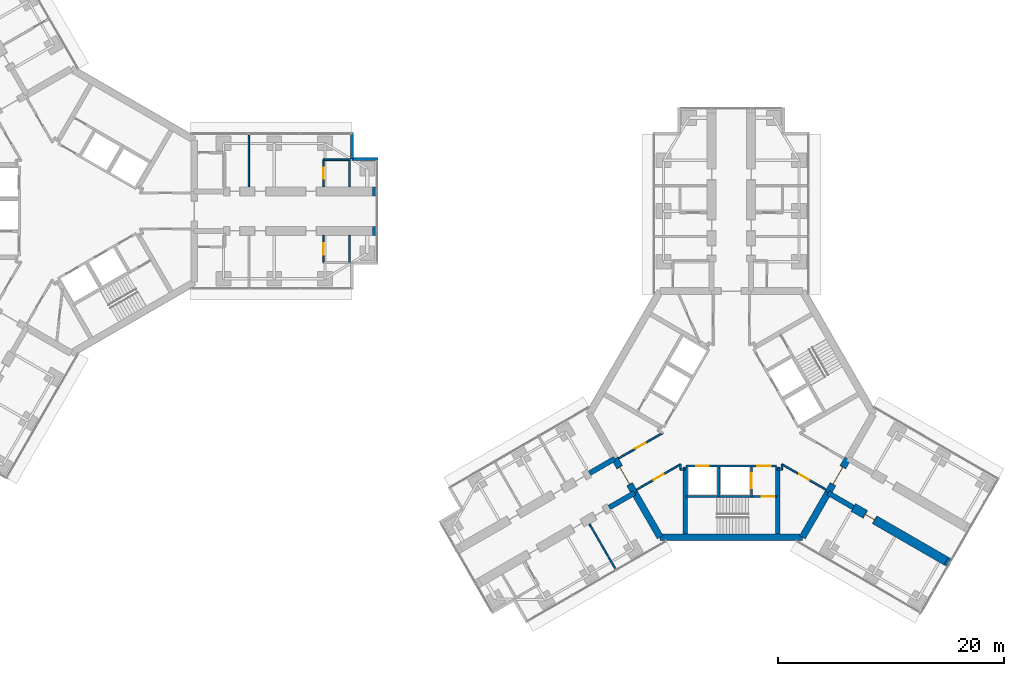
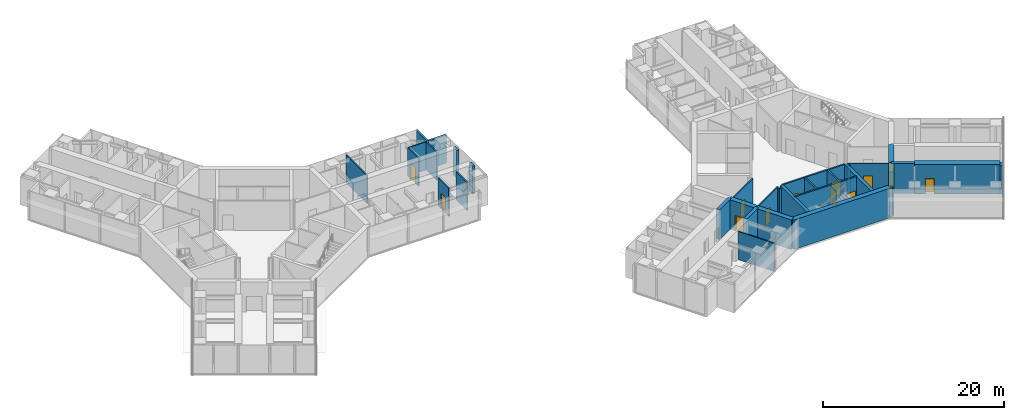
# One storey, part 18 of 22: 34 walls, 12 doors, 12 openings.
"""IFC4 building model written with IfcOpenShell, lengths in metres."""

from ifc_helpers import new_model, si_unit, direction, frame, frame_2d, origin, place, context, subcontext, project, spatial, rectangle, extrude, material, layer, layer_set, type_object, element, fill, save


model = new_model("IFC4")

# Units and contexts
model_context = context("Model", 3, precision=1e-05, world=origin(), true_north=direction((0.0, 1.0)))
body_context = subcontext(model_context, "Body", "Model", "MODEL_VIEW")
ifc_project = project(units=[si_unit("LENGTHUNIT", "METRE"), si_unit("AREAUNIT", "SQUARE_METRE"), si_unit("VOLUMEUNIT", "CUBIC_METRE"), si_unit("PLANEANGLEUNIT", "RADIAN"), si_unit("MASSUNIT", "GRAM", prefix="KILO")], contexts=[model_context])

# Site, building, storey
site_placement = place(None, origin())
site = spatial("IfcSite", under=ifc_project, at=site_placement, CompositionType="ELEMENT")
building_placement = place(site_placement, origin())
building = spatial("IfcBuilding", under=site, at=building_placement, Name="Upepo Twin Towers", CompositionType="ELEMENT")
storey_placement = place(building_placement, frame((0.0, 0.0, 125.5)))
storey = spatial("IfcBuildingStorey", under=building, at=storey_placement, Name="L30", CompositionType="ELEMENT", Elevation=125.5)

# Walls
ifc_material_1 = material(Name="Dense concrete blockwork", Category="masonry")
ifc_layer_1 = layer(ifc_material_1, 0.800048828125)
ifc_layer_set_1 = layer_set([ifc_layer_1], Name="Buttress closer 800, blockwork with fire-stopping to the curtain wall")
wall_type_1 = type_object("IfcWallType", Name="Buttress closer 800, blockwork with fire-stopping to the curtain wall", PredefinedType="PARTITIONING", material=ifc_layer_set_1)
for number, where, z_axis, x_axis, name in (
    (1, (26.699951171875, 1.75, 0.0), (0.0, 0.0, 1.0), (1.0, 0.0, 0.0), "T1 L30 wing A buttress closer L"),
    (2, (26.699951171875, -1.75, 0.0), (0.0, 0.0, 1.0), (1.0, 0.0, 0.0), "T1 L30 wing A buttress closer R"),
):
    element("IfcWall", number, at=place(storey_placement, frame(where, z_axis=z_axis, x_axis=x_axis)), inside=storey, type_object=wall_type_1, Name=name, PredefinedType="PARTITIONING", context=body_context, shape_type="SweptSolid", body=[
        extrude(rectangle(XDim=0.300048828125, YDim=0.800048828125, at=frame_2d((0.14990234375, 0.0))), origin(), (0.0, 0.0, 1.0), 3.800048828125),
    ])
wall_1_placement = place(storey_placement, frame((77.543701171875, -31.015625, 0.0), z_axis=(0.0, 0.0, 1.0), x_axis=(0.865827443207, -0.500342721131, 0.0)))
element("IfcWall", 3, at=wall_1_placement, inside=storey, type_object=wall_type_1, Name="T2 L30 wing C buttress closer R", PredefinedType="PARTITIONING", context=body_context, shape_type="SweptSolid", body=[
    extrude(rectangle(XDim=0.249755859375, YDim=0.800048828125, at=frame_2d((0.125, 0.0))), origin(), (0.0, 0.0, 1.0), 3.800048828125),
])
ifc_material_2 = material(Name="Concrete C60/75", Category="concrete")
ifc_layer_2 = layer(ifc_material_2, 0.449951171875)
ifc_layer_set_2 = layer_set([ifc_layer_2], Name="Concrete C60/75")
wall_type_2 = type_object("IfcWallType", Name="Buttress wall 450 RC", PredefinedType="SHEAR", material=ifc_layer_set_2)
for number, where, z_axis, x_axis, name in (
    (4, (49.92822265625, -24.9697265625, 0.0), (0.0, 0.0, 1.0), (-0.866031863473, -0.499988811324, 0.0), "T2 wing B buttress wall L"),
    (5, (48.17822265625, -21.938720703125, 0.0), (0.0, 0.0, 1.0), (-0.866072649678, -0.499918158782, 0.0), "T2 wing B buttress wall R"),
    (6, (67.07177734375, -24.9697265625, 0.0), (0.0, 0.0, 1.0), (0.866031863473, -0.499988811324, 0.0), "T2 wing C buttress wall R"),
):
    element("IfcWall", number, at=place(storey_placement, frame(where, z_axis=z_axis, x_axis=x_axis)), inside=storey, type_object=wall_type_2, Name=name, PredefinedType="SHEAR", context=body_context, shape_type="SweptSolid", body=[
        extrude(rectangle(XDim=2.591796875, YDim=0.449951171875, at=frame_2d((1.2958984375, 0.0))), origin(), (0.0, 0.0, 1.0), 4.0),
    ])

# Wall, opening, door
ifc_material_3 = material(Name="Concrete C60/75", Category="concrete")
ifc_layer_3 = layer(ifc_material_3, 0.800048828125)
ifc_layer_set_3 = layer_set([ifc_layer_3], Name="Concrete C60/75")
wall_type_3 = type_object("IfcWallType", Name="Buttress wall 800 RC", PredefinedType="SHEAR", material=ifc_layer_set_3)
wall_2_placement = place(storey_placement, frame((69.31640625, -26.265625, 0.0), z_axis=(0.0, 0.0, 1.0), x_axis=(0.86602681393, -0.499997557548, 0.0)))
wall_2 = element("IfcWall", 7, at=wall_2_placement, inside=storey, type_object=wall_type_3, Name="T2 wing C buttress wall R part 2", PredefinedType="SHEAR", context=body_context, shape_type="SweptSolid", body=[
    extrude(rectangle(XDim=9.5, YDim=0.800048828125, at=frame_2d((4.75, 0.0))), origin(), (0.0, 0.0, 1.0), 4.0),
])
opening_1_placement = place(wall_2_placement, frame((1.199951171875, 0.0, 0.0)))
opening_1 = element("IfcOpeningElement", 8, at=opening_1_placement, cuts=wall_2, Name="Opening D1", PredefinedType="OPENING", context=body_context, shape_type="SweptSolid", body=[
    extrude(rectangle(XDim=1.0, YDim=2.10009765625, at=frame_2d((0.5, 1.050048828125))), frame((0.0, 0.409912109375, 0.0), z_axis=(0.0, -1.0, 0.0), x_axis=(1.0, 0.0, 0.0)), (0.0, 0.0, 1.0), 0.820068359375),
])
ifc_material_4 = material(Name="Timber doorset", Category="wood")
door_type_1 = type_object("IfcDoorType", Name="Room door 1000 FD30", OperationType="SINGLE_SWING_LEFT", PredefinedType="DOOR", material=ifc_material_4)
door_1_placement = place(opening_1_placement, origin())
door_1 = element("IfcDoor", 9, at=door_1_placement, inside=storey, type_object=door_type_1, Name="T2 L30 staff office door", OperationType="SINGLE_SWING_LEFT", OverallHeight=2.10009765625, OverallWidth=1.0, PredefinedType="DOOR", context=body_context, shape_type="SweptSolid", body=[
    extrude(rectangle(XDim=0.92, YDim=2.06009765625, at=frame_2d((0.5, 1.030029296875))), frame((0.0, 0.02490234375, 0.0), z_axis=(0.0, -1.0, 0.0), x_axis=(1.0, 0.0, 0.0)), (0.0, 0.0, 1.0), 0.050048828125),
    extrude(rectangle(XDim=0.04, YDim=2.10009765625, at=frame_2d((0.02001953125, 1.050048828125))), frame((0.0, 0.39990234375, 0.0), z_axis=(0.0, -1.0, 0.0), x_axis=(1.0, 0.0, 0.0)), (0.0, 0.0, 1.0), 0.799560546875),
    extrude(rectangle(XDim=0.04, YDim=2.10009765625, at=frame_2d((0.97998046875, 1.050048828125))), frame((0.0, 0.39990234375, 0.0), z_axis=(0.0, -1.0, 0.0), x_axis=(1.0, 0.0, 0.0)), (0.0, 0.0, 1.0), 0.799560546875),
    extrude(rectangle(XDim=0.92, YDim=0.04, at=frame_2d((0.5, 2.080078125))), frame((0.0, 0.39990234375, 0.0), z_axis=(0.0, -1.0, 0.0), x_axis=(1.0, 0.0, 0.0)), (0.0, 0.0, 1.0), 0.799560546875),
])
fill(opening_1, door_1)

ifc_material_5 = material(Name="Concrete C60/75", Category="concrete")
ifc_layer_4 = layer(ifc_material_5, 0.60009765625)
ifc_layer_set_4 = layer_set([ifc_layer_4], Name="Concrete C60/75")
wall_type_4 = type_object("IfcWallType", Name="Core wall 600 RC", PredefinedType="SHEAR", material=ifc_layer_set_4)
wall_3_placement = place(storey_placement, frame((48.17822265625, -21.938720703125, 0.0), z_axis=(0.0, 0.0, 1.0), x_axis=(0.500010275428, -0.866019471182, 0.0)))
wall_3 = element("IfcWall", 10, at=wall_3_placement, inside=storey, type_object=wall_type_4, Name="T2 core wall 120", PredefinedType="SHEAR", context=body_context, shape_type="SweptSolid", body=[
    extrude(rectangle(XDim=3.5, YDim=0.60009765625, at=frame_2d((1.75, 0.0))), origin(), (0.0, 0.0, 1.0), 4.0),
])
opening_2_placement = place(wall_3_placement, frame((0.85009765625, 0.0, 0.0)))
opening_2 = element("IfcOpeningElement", 11, at=opening_2_placement, cuts=wall_3, Name="Opening D2", PredefinedType="OPENING", context=body_context, shape_type="SweptSolid", body=[
    extrude(rectangle(XDim=1.800048828125, YDim=2.10009765625, at=frame_2d((0.89990234375, 1.050048828125))), frame((0.0, 0.31005859375, 0.0), z_axis=(0.0, -1.0, 0.0), x_axis=(1.0, 0.0, 0.0)), (0.0, 0.0, 1.0), 0.6201171875),
])
ifc_material_6 = material(Name="Timber doorset", Category="wood")
door_type_2 = type_object("IfcDoorType", Name="Corridor double door 1800 FD60", OperationType="DOUBLE_DOOR_DOUBLE_SWING", PredefinedType="DOOR", material=ifc_material_6)
door_2_placement = place(opening_2_placement, origin())
door_2 = element("IfcDoor", 12, at=door_2_placement, inside=storey, type_object=door_type_2, Name="T2 L30 wing B corridor door", OperationType="DOUBLE_DOOR_DOUBLE_SWING", OverallHeight=2.10009765625, OverallWidth=1.800048828125, PredefinedType="DOOR", context=body_context, shape_type="SweptSolid", body=[
    extrude(rectangle(XDim=1.720048828125, YDim=2.06009765625, at=frame_2d((0.89990234375, 1.030029296875))), frame((0.0, 0.02490234375, 0.0), z_axis=(0.0, -1.0, 0.0), x_axis=(1.0, 0.0, 0.0)), (0.0, 0.0, 1.0), 0.050048828125),
    extrude(rectangle(XDim=0.04, YDim=2.10009765625, at=frame_2d((0.02001953125, 1.050048828125))), frame((0.0, 0.2998046875, 0.0), z_axis=(0.0, -1.0, 0.0), x_axis=(1.0, 0.0, 0.0)), (0.0, 0.0, 1.0), 0.599609375),
    extrude(rectangle(XDim=0.04, YDim=2.10009765625, at=frame_2d((1.780029296875, 1.050048828125))), frame((0.0, 0.2998046875, 0.0), z_axis=(0.0, -1.0, 0.0), x_axis=(1.0, 0.0, 0.0)), (0.0, 0.0, 1.0), 0.599609375),
    extrude(rectangle(XDim=1.720048828125, YDim=0.04, at=frame_2d((0.89990234375, 2.080078125))), frame((0.0, 0.2998046875, 0.0), z_axis=(0.0, -1.0, 0.0), x_axis=(1.0, 0.0, 0.0)), (0.0, 0.0, 1.0), 0.599609375),
])
fill(opening_2, door_2)

# Walls
wall_4_placement = place(storey_placement, frame((49.92822265625, -24.9697265625, 0.0), z_axis=(0.0, 0.0, 1.0), x_axis=(0.499984222037, -0.866034513004, 0.0)))
element("IfcWall", 13, at=wall_4_placement, inside=storey, type_object=wall_type_4, Name="T2 core wall 120 L", PredefinedType="SHEAR", context=body_context, shape_type="SweptSolid", body=[
    extrude(rectangle(XDim=4.548095703125, YDim=0.60009765625, at=frame_2d((2.27392578125, 0.0))), origin(), (0.0, 0.0, 1.0), 4.0),
])
wall_5_placement = place(storey_placement, frame((52.2021484375, -28.908447265625, 0.0), z_axis=(0.0, 0.0, 1.0), x_axis=(1.0, 0.0, 0.0)))
element("IfcWall", 14, at=wall_5_placement, inside=storey, type_object=wall_type_4, Name="T2 core wall 180", PredefinedType="SHEAR", context=body_context, shape_type="SweptSolid", body=[
    extrude(rectangle(XDim=12.595703125, YDim=0.60009765625, at=frame_2d((6.2978515625, 0.0))), origin(), (0.0, 0.0, 1.0), 4.0),
])
wall_6_placement = place(storey_placement, frame((64.7978515625, -28.908447265625, 0.0), z_axis=(0.0, 0.0, 1.0), x_axis=(0.499984222037, 0.866034513004, 0.0)))
element("IfcWall", 15, at=wall_6_placement, inside=storey, type_object=wall_type_4, Name="T2 core wall 240 R", PredefinedType="SHEAR", context=body_context, shape_type="SweptSolid", body=[
    extrude(rectangle(XDim=4.548095703125, YDim=0.60009765625, at=frame_2d((2.27392578125, 0.0))), origin(), (0.0, 0.0, 1.0), 4.0),
])

# Wall, opening, door
wall_7_placement = place(storey_placement, frame((67.07177734375, -24.9697265625, 0.0), z_axis=(0.0, 0.0, 1.0), x_axis=(0.500010275428, 0.866019471182, 0.0)))
wall_7 = element("IfcWall", 16, at=wall_7_placement, inside=storey, type_object=wall_type_4, Name="T2 core wall 240", PredefinedType="SHEAR", context=body_context, shape_type="SweptSolid", body=[
    extrude(rectangle(XDim=3.5, YDim=0.60009765625, at=frame_2d((1.75, 0.0))), origin(), (0.0, 0.0, 1.0), 4.0),
])
opening_3_placement = place(wall_7_placement, frame((0.85009765625, 0.0, 0.0)))
opening_3 = element("IfcOpeningElement", 17, at=opening_3_placement, cuts=wall_7, Name="Opening D2", PredefinedType="OPENING", context=body_context, shape_type="SweptSolid", body=[
    extrude(rectangle(XDim=1.800048828125, YDim=2.10009765625, at=frame_2d((0.89990234375, 1.050048828125))), frame((0.0, 0.31005859375, 0.0), z_axis=(0.0, -1.0, 0.0), x_axis=(1.0, 0.0, 0.0)), (0.0, 0.0, 1.0), 0.6201171875),
])
door_3_placement = place(opening_3_placement, origin())
door_3 = element("IfcDoor", 18, at=door_3_placement, inside=storey, type_object=door_type_2, Name="T2 L30 wing C corridor door", OperationType="DOUBLE_DOOR_DOUBLE_SWING", OverallHeight=2.10009765625, OverallWidth=1.800048828125, PredefinedType="DOOR", context=body_context, shape_type="SweptSolid", body=[
    extrude(rectangle(XDim=1.720048828125, YDim=2.06009765625, at=frame_2d((0.89990234375, 1.030029296875))), frame((0.0, 0.02490234375, 0.0), z_axis=(0.0, -1.0, 0.0), x_axis=(1.0, 0.0, 0.0)), (0.0, 0.0, 1.0), 0.050048828125),
    extrude(rectangle(XDim=0.04, YDim=2.10009765625, at=frame_2d((0.02001953125, 1.050048828125))), frame((0.0, 0.2998046875, 0.0), z_axis=(0.0, -1.0, 0.0), x_axis=(1.0, 0.0, 0.0)), (0.0, 0.0, 1.0), 0.599609375),
    extrude(rectangle(XDim=0.04, YDim=2.10009765625, at=frame_2d((1.780029296875, 1.050048828125))), frame((0.0, 0.2998046875, 0.0), z_axis=(0.0, -1.0, 0.0), x_axis=(1.0, 0.0, 0.0)), (0.0, 0.0, 1.0), 0.599609375),
    extrude(rectangle(XDim=1.720048828125, YDim=0.04, at=frame_2d((0.89990234375, 2.080078125))), frame((0.0, 0.2998046875, 0.0), z_axis=(0.0, -1.0, 0.0), x_axis=(1.0, 0.0, 0.0)), (0.0, 0.0, 1.0), 0.599609375),
])
fill(opening_3, door_3)

# Walls
ifc_material_7 = material(Name="Blockwork with anodised aluminium cladding", Category="masonry")
ifc_layer_5 = layer(ifc_material_7, 0.25)
ifc_layer_set_5 = layer_set([ifc_layer_5], Name="Notch cladding wall 250, pale metal")
wall_type_5 = type_object("IfcWallType", Name="Notch cladding wall 250, pale metal", PredefinedType="STANDARD", material=ifc_layer_set_5)
for number, where, z_axis, x_axis, name in (
    (19, (24.875, 6.949951171875, 0.0), (0.0, 0.0, 1.0), (0.0, -1.0, 0.0), "T1 L30 wing A notch wall L1"),
    (20, (24.875, 4.625, 0.0), (0.0, 0.0, 1.0), (1.0, 0.0, 0.0), "T1 L30 wing A notch wall L2"),
):
    element("IfcWall", number, at=place(storey_placement, frame(where, z_axis=z_axis, x_axis=x_axis)), inside=storey, type_object=wall_type_5, Name=name, PredefinedType="STANDARD", context=body_context, shape_type="SweptSolid", body=[
        extrude(rectangle(XDim=2.324951171875, YDim=0.25, at=frame_2d((1.16259765625, 0.0))), origin(), (0.0, 0.0, 1.0), 3.800048828125),
    ])

# Wall, openings, doors
ifc_material_8 = material(Name="Concrete C40/50", Category="concrete")
ifc_layer_6 = layer(ifc_material_8, 0.199951171875)
ifc_layer_set_6 = layer_set([ifc_layer_6], Name="Concrete C40/50")
wall_type_6 = type_object("IfcWallType", Name="Shaft wall 200 RC", PredefinedType="SHEAR", material=ifc_layer_set_6)
wall_8_placement = place(storey_placement, frame((54.5, -22.60009765625, 0.0), z_axis=(0.0, 0.0, 1.0), x_axis=(1.0, 0.0, 0.0)))
wall_8 = element("IfcWall", 21, at=wall_8_placement, inside=storey, type_object=wall_type_6, Name="T2 core W180 front wall", PredefinedType="SHEAR", context=body_context, shape_type="SweptSolid", body=[
    extrude(rectangle(XDim=8.0, YDim=0.199951171875, at=frame_2d((4.0, 0.0))), origin(), (0.0, 0.0, 1.0), 4.0),
])
opening_4_placement = place(wall_8_placement, frame((6.300048828125, 0.0, 0.0)))
opening_4 = element("IfcOpeningElement", 22, at=opening_4_placement, cuts=wall_8, Name="Opening D4", PredefinedType="OPENING", context=body_context, shape_type="SweptSolid", body=[
    extrude(rectangle(XDim=1.199951171875, YDim=2.10009765625, at=frame_2d((0.60009765625, 1.050048828125))), frame((0.0, 0.10986328125, 0.0), z_axis=(0.0, -1.0, 0.0), x_axis=(1.0, 0.0, 0.0)), (0.0, 0.0, 1.0), 0.219970703125),
])
opening_5_placement = place(wall_8_placement, frame((0.89990234375, 0.0, 0.0)))
opening_5 = element("IfcOpeningElement", 23, at=opening_5_placement, cuts=wall_8, Name="Opening LD1", PredefinedType="OPENING", context=body_context, shape_type="SweptSolid", body=[
    extrude(rectangle(XDim=1.10009765625, YDim=2.199951171875, at=frame_2d((0.550048828125, 1.10009765625))), frame((0.0, 0.10986328125, 0.0), z_axis=(0.0, -1.0, 0.0), x_axis=(1.0, 0.0, 0.0)), (0.0, 0.0, 1.0), 0.219970703125),
])
ifc_material_9 = material(Name="Steel doorset", Category="steel")
door_type_3 = type_object("IfcDoorType", Name="Lift landing door 1100", OperationType="DOUBLE_DOOR_SLIDING", PredefinedType="DOOR", material=ifc_material_9)
door_4_placement = place(opening_5_placement, origin())
door_4 = element("IfcDoor", 24, at=door_4_placement, inside=storey, type_object=door_type_3, Name="T2 L30 lift SV1 landing door", OperationType="DOUBLE_DOOR_SLIDING", OverallHeight=2.199951171875, OverallWidth=1.10009765625, PredefinedType="DOOR", context=body_context, shape_type="SweptSolid", body=[
    extrude(rectangle(XDim=1.10009765625, YDim=2.199951171875, at=frame_2d((0.550048828125, 1.10009765625))), frame((0.0, 0.02490234375, 0.0), z_axis=(0.0, -1.0, 0.0), x_axis=(1.0, 0.0, 0.0)), (0.0, 0.0, 1.0), 0.050048828125),
])
fill(opening_5, door_4)
ifc_material_10 = material(Name="Timber doorset", Category="wood")
door_type_4 = type_object("IfcDoorType", Name="Lobby door 1200 FD60", OperationType="SINGLE_SWING_LEFT", PredefinedType="DOOR", material=ifc_material_10)
door_5_placement = place(opening_4_placement, origin())
door_5 = element("IfcDoor", 25, at=door_5_placement, inside=storey, type_object=door_type_4, Name="T2 L30 W180 lobby door", OperationType="SINGLE_SWING_RIGHT", OverallHeight=2.10009765625, OverallWidth=1.199951171875, PredefinedType="DOOR", context=body_context, shape_type="SweptSolid", body=[
    extrude(rectangle(XDim=1.199951171875, YDim=2.10009765625, at=frame_2d((0.60009765625, 1.050048828125))), frame((0.0, 0.02490234375, 0.0), z_axis=(0.0, -1.0, 0.0), x_axis=(1.0, 0.0, 0.0)), (0.0, 0.0, 1.0), 0.050048828125),
])
fill(opening_4, door_5)

# Wall
wall_9_placement = place(storey_placement, frame((57.39990234375, -22.699951171875, 0.0), z_axis=(0.0, 0.0, 1.0), x_axis=(0.0, -1.0, 0.0)))
element("IfcWall", 26, at=wall_9_placement, inside=storey, type_object=wall_type_6, Name="T2 core W180 shaft divider", PredefinedType="SHEAR", context=body_context, shape_type="SweptSolid", body=[
    extrude(rectangle(XDim=2.60009765625, YDim=0.199951171875, at=frame_2d((1.300048828125, 0.0))), origin(), (0.0, 0.0, 1.0), 4.0),
])

# Wall, opening, door
wall_10_placement = place(storey_placement, frame((60.300048828125, -22.699951171875, 0.0), z_axis=(0.0, 0.0, 1.0), x_axis=(0.0, -1.0, 0.0)))
wall_10 = element("IfcWall", 27, at=wall_10_placement, inside=storey, type_object=wall_type_6, Name="T2 core W180 lobby wall", PredefinedType="SHEAR", context=body_context, shape_type="SweptSolid", body=[
    extrude(rectangle(XDim=2.60009765625, YDim=0.199951171875, at=frame_2d((1.300048828125, 0.0))), origin(), (0.0, 0.0, 1.0), 4.0),
])
opening_6_placement = place(wall_10_placement, frame((0.550048828125, 0.0, 0.0)))
opening_6 = element("IfcOpeningElement", 28, at=opening_6_placement, cuts=wall_10, Name="Opening LD2", PredefinedType="OPENING", context=body_context, shape_type="SweptSolid", body=[
    extrude(rectangle(XDim=1.300048828125, YDim=2.199951171875, at=frame_2d((0.64990234375, 1.10009765625))), frame((0.0, 0.10986328125, 0.0), z_axis=(0.0, -1.0, 0.0), x_axis=(1.0, 0.0, 0.0)), (0.0, 0.0, 1.0), 0.219970703125),
])
ifc_material_11 = material(Name="Steel doorset", Category="steel")
door_type_5 = type_object("IfcDoorType", Name="Firefighting lift landing door 1300", OperationType="DOUBLE_DOOR_SLIDING", PredefinedType="DOOR", material=ifc_material_11)
door_6_placement = place(opening_6_placement, origin())
door_6 = element("IfcDoor", 29, at=door_6_placement, inside=storey, type_object=door_type_5, Name="T2 L30 firefighting lift landing door", OperationType="DOUBLE_DOOR_SLIDING", OverallHeight=2.199951171875, OverallWidth=1.300048828125, PredefinedType="DOOR", context=body_context, shape_type="SweptSolid", body=[
    extrude(rectangle(XDim=1.300048828125, YDim=2.199951171875, at=frame_2d((0.64990234375, 1.10009765625))), frame((0.0, 0.02490234375, 0.0), z_axis=(0.0, -1.0, 0.0), x_axis=(1.0, 0.0, 0.0)), (0.0, 0.0, 1.0), 0.050048828125),
])
fill(opening_6, door_6)

wall_11_placement = place(storey_placement, frame((54.5, -25.300048828125, 0.0), z_axis=(0.0, 0.0, 1.0), x_axis=(1.0, 0.0, 0.0)))
wall_11 = element("IfcWall", 30, at=wall_11_placement, inside=storey, type_object=wall_type_6, Name="T2 core W180 stair wall", PredefinedType="SHEAR", context=body_context, shape_type="SweptSolid", body=[
    extrude(rectangle(XDim=8.0, YDim=0.199951171875, at=frame_2d((4.0, 0.0))), origin(), (0.0, 0.0, 1.0), 4.0),
])
opening_7_placement = place(wall_11_placement, frame((6.699951171875, 0.0, 0.0)))
opening_7 = element("IfcOpeningElement", 31, at=opening_7_placement, cuts=wall_11, Name="Opening D3", PredefinedType="OPENING", context=body_context, shape_type="SweptSolid", body=[
    extrude(rectangle(XDim=1.10009765625, YDim=2.10009765625, at=frame_2d((0.550048828125, 1.050048828125))), frame((0.0, 0.10986328125, 0.0), z_axis=(0.0, -1.0, 0.0), x_axis=(1.0, 0.0, 0.0)), (0.0, 0.0, 1.0), 0.219970703125),
])
ifc_material_12 = material(Name="Timber doorset", Category="wood")
door_type_6 = type_object("IfcDoorType", Name="Stair door 1100 FD60", OperationType="SINGLE_SWING_LEFT", PredefinedType="DOOR", material=ifc_material_12)
door_7_placement = place(opening_7_placement, origin())
door_7 = element("IfcDoor", 32, at=door_7_placement, inside=storey, type_object=door_type_6, Name="T2 L30 stair door", OperationType="SINGLE_SWING_RIGHT", OverallHeight=2.10009765625, OverallWidth=1.10009765625, PredefinedType="DOOR", context=body_context, shape_type="SweptSolid", body=[
    extrude(rectangle(XDim=1.10009765625, YDim=2.10009765625, at=frame_2d((0.550048828125, 1.050048828125))), frame((0.0, 0.02490234375, 0.0), z_axis=(0.0, -1.0, 0.0), x_axis=(1.0, 0.0, 0.0)), (0.0, 0.0, 1.0), 0.050048828125),
])
fill(opening_7, door_7)

# Walls
ifc_material_13 = material(Name="Concrete C40/50", Category="concrete")
ifc_layer_7 = layer(ifc_material_13, 0.39990234375)
ifc_layer_set_7 = layer_set([ifc_layer_7], Name="Concrete C40/50")
wall_type_7 = type_object("IfcWallType", Name="Shaft wall 400 RC", PredefinedType="SHEAR", material=ifc_layer_set_7)
for number, where, z_axis, x_axis, name in (
    (33, (62.60009765625, -22.699951171875, 0.0), (0.0, 0.0, 1.0), (0.0, -1.0, 0.0), "T2 core W180 side wall N"),
    (34, (54.39990234375, -22.699951171875, 0.0), (0.0, 0.0, 1.0), (0.0, -1.0, 0.0), "T2 core W180 side wall S"),
):
    element("IfcWall", number, at=place(storey_placement, frame(where, z_axis=z_axis, x_axis=x_axis)), inside=storey, type_object=wall_type_7, Name=name, PredefinedType="SHEAR", context=body_context, shape_type="SweptSolid", body=[
        extrude(rectangle(XDim=5.908447265625, YDim=0.39990234375, at=frame_2d((2.9541015625, 0.0))), origin(), (0.0, 0.0, 1.0), 4.0),
    ])
ifc_material_14 = material(Name="Gypsum board on steel studs", Category="steel")
ifc_layer_8 = layer(ifc_material_14, 0.14990234375)
ifc_layer_set_8 = layer_set([ifc_layer_8], Name="Teaching partition 150 acoustic")
wall_type_8 = type_object("IfcWallType", Name="Teaching partition 150 acoustic", PredefinedType="PARTITIONING", material=ifc_layer_set_8)
wall_12_placement = place(storey_placement, frame((15.75, 2.14990234375, 0.0), z_axis=(0.0, 0.0, 1.0), x_axis=(0.0, 1.0, 0.0)))
element("IfcWall", 35, at=wall_12_placement, inside=storey, type_object=wall_type_8, Name="T1 partition AL at 15.75", PredefinedType="PARTITIONING", context=body_context, shape_type="SweptSolid", body=[
    extrude(rectangle(XDim=4.60009765625, YDim=0.14990234375, at=frame_2d((2.300048828125, 0.0))), origin(), (0.0, 0.0, 1.0), 3.800048828125),
])
wall_13_placement = place(storey_placement, frame((22.35009765625, 4.550048828125, 0.0), z_axis=(0.0, 0.0, 1.0), x_axis=(1.0, 0.0, 0.0)))
element("IfcWall", 36, at=wall_13_placement, inside=storey, type_object=wall_type_8, Name="T1 inner room partition AL at 22.35", PredefinedType="PARTITIONING", context=body_context, shape_type="SweptSolid", body=[
    extrude(rectangle(XDim=2.39990234375, YDim=0.14990234375, at=frame_2d((1.199951171875, 0.0))), origin(), (0.0, 0.0, 1.0), 3.800048828125),
])

# Wall, opening, door
wall_14_placement = place(storey_placement, frame((22.35009765625, 2.14990234375, 0.0), z_axis=(0.0, 0.0, 1.0), x_axis=(0.0, 1.0, 0.0)))
wall_14 = element("IfcWall", 37, at=wall_14_placement, inside=storey, type_object=wall_type_8, Name="T1 inner room partition AL end at 22.35", PredefinedType="PARTITIONING", context=body_context, shape_type="SweptSolid", body=[
    extrude(rectangle(XDim=2.400146484375, YDim=0.14990234375, at=frame_2d((1.2001953125, 0.0))), origin(), (0.0, 0.0, 1.0), 3.800048828125),
])
opening_8_placement = place(wall_14_placement, frame((0.699951171875, 0.0, 0.0)))
opening_8 = element("IfcOpeningElement", 38, at=opening_8_placement, cuts=wall_14, Name="Opening D1", PredefinedType="OPENING", context=body_context, shape_type="SweptSolid", body=[
    extrude(rectangle(XDim=1.0, YDim=2.10009765625, at=frame_2d((0.5, 1.050048828125))), frame((0.0, 0.0849609375, 0.0), z_axis=(0.0, -1.0, 0.0), x_axis=(1.0, 0.0, 0.0)), (0.0, 0.0, 1.0), 0.169921875),
])
door_8_placement = place(opening_8_placement, origin())
door_8 = element("IfcDoor", 39, at=door_8_placement, inside=storey, type_object=door_type_1, Name="T1 L30 inner room door", OperationType="SINGLE_SWING_LEFT", OverallHeight=2.10009765625, OverallWidth=1.0, PredefinedType="DOOR", context=body_context, shape_type="SweptSolid", body=[
    extrude(rectangle(XDim=1.0, YDim=2.10009765625, at=frame_2d((0.5, 1.050048828125))), frame((0.0, 0.02490234375, 0.0), z_axis=(0.0, -1.0, 0.0), x_axis=(1.0, 0.0, 0.0)), (0.0, 0.0, 1.0), 0.050048828125),
])
fill(opening_8, door_8)

# Wall
wall_15_placement = place(storey_placement, frame((24.675048828125, 2.14990234375, 0.0), z_axis=(0.0, 0.0, 1.0), x_axis=(0.0, 1.0, 0.0)))
element("IfcWall", 40, at=wall_15_placement, inside=storey, type_object=wall_type_8, Name="T1 inner room partition AL end at 24.75", PredefinedType="PARTITIONING", context=body_context, shape_type="SweptSolid", body=[
    extrude(rectangle(XDim=2.400146484375, YDim=0.14990234375, at=frame_2d((1.2001953125, 0.0))), origin(), (0.0, 0.0, 1.0), 3.800048828125),
])

# Wall, opening, door
wall_16_placement = place(storey_placement, frame((22.35009765625, -2.14990234375, 0.0), z_axis=(0.0, 0.0, 1.0), x_axis=(0.0, -1.0, 0.0)))
wall_16 = element("IfcWall", 41, at=wall_16_placement, inside=storey, type_object=wall_type_8, Name="T1 inner room partition AR end at 22.35", PredefinedType="PARTITIONING", context=body_context, shape_type="SweptSolid", body=[
    extrude(rectangle(XDim=2.400146484375, YDim=0.14990234375, at=frame_2d((1.2001953125, 0.0))), origin(), (0.0, 0.0, 1.0), 3.800048828125),
])
opening_9_placement = place(wall_16_placement, frame((0.699951171875, 0.0, 0.0)))
opening_9 = element("IfcOpeningElement", 42, at=opening_9_placement, cuts=wall_16, Name="Opening D1", PredefinedType="OPENING", context=body_context, shape_type="SweptSolid", body=[
    extrude(rectangle(XDim=1.0, YDim=2.10009765625, at=frame_2d((0.5, 1.050048828125))), frame((0.0, 0.0849609375, 0.0), z_axis=(0.0, -1.0, 0.0), x_axis=(1.0, 0.0, 0.0)), (0.0, 0.0, 1.0), 0.169921875),
])
door_9_placement = place(opening_9_placement, origin())
door_9 = element("IfcDoor", 43, at=door_9_placement, inside=storey, type_object=door_type_1, Name="T1 L30 inner room door", OperationType="SINGLE_SWING_LEFT", OverallHeight=2.10009765625, OverallWidth=1.0, PredefinedType="DOOR", context=body_context, shape_type="SweptSolid", body=[
    extrude(rectangle(XDim=1.0, YDim=2.10009765625, at=frame_2d((0.5, 1.050048828125))), frame((0.0, 0.02490234375, 0.0), z_axis=(0.0, -1.0, 0.0), x_axis=(1.0, 0.0, 0.0)), (0.0, 0.0, 1.0), 0.050048828125),
])
fill(opening_9, door_9)

# Walls
wall_17_placement = place(storey_placement, frame((24.675048828125, -2.14990234375, 0.0), z_axis=(0.0, 0.0, 1.0), x_axis=(0.0, -1.0, 0.0)))
element("IfcWall", 44, at=wall_17_placement, inside=storey, type_object=wall_type_8, Name="T1 inner room partition AR end at 24.75", PredefinedType="PARTITIONING", context=body_context, shape_type="SweptSolid", body=[
    extrude(rectangle(XDim=2.400146484375, YDim=0.14990234375, at=frame_2d((1.2001953125, 0.0))), origin(), (0.0, 0.0, 1.0), 3.800048828125),
])
wall_18_placement = place(storey_placement, frame((45.93505859375, -27.737060546875, 0.0), z_axis=(0.0, 0.0, 1.0), x_axis=(0.500014953309, -0.866016770315, 0.0)))
element("IfcWall", 45, at=wall_18_placement, inside=storey, type_object=wall_type_8, Name="T2 partition BL at 15.75", PredefinedType="PARTITIONING", context=body_context, shape_type="SweptSolid", body=[
    extrude(rectangle(XDim=4.599853515625, YDim=0.14990234375, at=frame_2d((2.2998046875, 0.0))), origin(), (0.0, 0.0, 1.0), 3.800048828125),
])
wall_19_placement = place(storey_placement, frame((54.0, -22.919921875, 0.0), z_axis=(0.0, 0.0, 1.0), x_axis=(0.0, 1.0, 0.0)))
element("IfcWall", 46, at=wall_19_placement, inside=storey, type_object=wall_type_8, Name="T2 core room partition 1", PredefinedType="PARTITIONING", context=body_context, shape_type="SweptSolid", body=[
    extrude(rectangle(XDim=0.494384765625, YDim=0.14990234375, at=frame_2d((0.2470703125, 0.0))), origin(), (0.0, 0.0, 1.0), 3.800048828125),
])

# Wall, opening, door
wall_20_placement = place(storey_placement, frame((54.017333984375, -22.435546875, 0.0), z_axis=(0.0, 0.0, 1.0), x_axis=(-0.86602002524, -0.500009315796, 0.0)))
wall_20 = element("IfcWall", 47, at=wall_20_placement, inside=storey, type_object=wall_type_8, Name="T2 core room partition 2", PredefinedType="PARTITIONING", context=body_context, shape_type="SweptSolid", body=[
    extrude(rectangle(XDim=4.5185546875, YDim=0.14990234375, at=frame_2d((2.25927734375, 0.0))), origin(), (0.0, 0.0, 1.0), 3.800048828125),
])
opening_10_placement = place(wall_20_placement, frame((1.769287109375, 0.0, 0.0)))
opening_10 = element("IfcOpeningElement", 48, at=opening_10_placement, cuts=wall_20, Name="Opening D1", PredefinedType="OPENING", context=body_context, shape_type="SweptSolid", body=[
    extrude(rectangle(XDim=1.0, YDim=2.10009765625, at=frame_2d((0.5, 1.050048828125))), frame((0.0, 0.0849609375, 0.0), z_axis=(0.0, -1.0, 0.0), x_axis=(1.0, 0.0, 0.0)), (0.0, 0.0, 1.0), 0.169921875),
])
door_10_placement = place(opening_10_placement, origin())
door_10 = element("IfcDoor", 49, at=door_10_placement, inside=storey, type_object=door_type_1, Name="T2 L30 core room door K2", OperationType="SINGLE_SWING_RIGHT", OverallHeight=2.10009765625, OverallWidth=1.0, PredefinedType="DOOR", context=body_context, shape_type="SweptSolid", body=[
    extrude(rectangle(XDim=1.0, YDim=2.10009765625, at=frame_2d((0.5, 1.050048828125))), frame((0.0, 0.02490234375, 0.0), z_axis=(0.0, -1.0, 0.0), x_axis=(1.0, 0.0, 0.0)), (0.0, 0.0, 1.0), 0.050048828125),
])
fill(opening_10, door_10)

wall_21_placement = place(storey_placement, frame((48.50439453125, -21.923583984375, 0.0), z_axis=(0.0, 0.0, 1.0), x_axis=(0.866006515865, 0.500032713409, 0.0)))
wall_21 = element("IfcWall", 50, at=wall_21_placement, inside=storey, type_object=wall_type_8, Name="T2 core room partition 3", PredefinedType="PARTITIONING", context=body_context, shape_type="SweptSolid", body=[
    extrude(rectangle(XDim=4.518310546875, YDim=0.14990234375, at=frame_2d((2.25927734375, 0.0))), origin(), (0.0, 0.0, 1.0), 3.800048828125),
])
opening_11_placement = place(wall_21_placement, frame((1.7490234375, 0.0, 0.0)))
opening_11 = element("IfcOpeningElement", 51, at=opening_11_placement, cuts=wall_21, Name="Opening D1", PredefinedType="OPENING", context=body_context, shape_type="SweptSolid", body=[
    extrude(rectangle(XDim=1.0, YDim=2.10009765625, at=frame_2d((0.5, 1.050048828125))), frame((0.0, 0.0849609375, 0.0), z_axis=(0.0, -1.0, 0.0), x_axis=(1.0, 0.0, 0.0)), (0.0, 0.0, 1.0), 0.169921875),
])
door_11_placement = place(opening_11_placement, origin())
door_11 = element("IfcDoor", 52, at=door_11_placement, inside=storey, type_object=door_type_1, Name="T2 L30 core room door K1", OperationType="SINGLE_SWING_LEFT", OverallHeight=2.10009765625, OverallWidth=1.0, PredefinedType="DOOR", context=body_context, shape_type="SweptSolid", body=[
    extrude(rectangle(XDim=1.0, YDim=2.10009765625, at=frame_2d((0.5, 1.050048828125))), frame((0.0, 0.02490234375, 0.0), z_axis=(0.0, -1.0, 0.0), x_axis=(1.0, 0.0, 0.0)), (0.0, 0.0, 1.0), 0.050048828125),
])
fill(opening_11, door_11)

wall_22_placement = place(storey_placement, frame((66.895751953125, -24.69482421875, 0.0), z_axis=(0.0, 0.0, 1.0), x_axis=(-0.86602002524, 0.500009315796, 0.0)))
wall_22 = element("IfcWall", 53, at=wall_22_placement, inside=storey, type_object=wall_type_8, Name="T2 core room partition 15", PredefinedType="PARTITIONING", context=body_context, shape_type="SweptSolid", body=[
    extrude(rectangle(XDim=4.5185546875, YDim=0.14990234375, at=frame_2d((2.25927734375, 0.0))), origin(), (0.0, 0.0, 1.0), 3.800048828125),
])
opening_12_placement = place(wall_22_placement, frame((1.7490234375, 0.0, 0.0)))
opening_12 = element("IfcOpeningElement", 54, at=opening_12_placement, cuts=wall_22, Name="Opening D1", PredefinedType="OPENING", context=body_context, shape_type="SweptSolid", body=[
    extrude(rectangle(XDim=1.0, YDim=2.10009765625, at=frame_2d((0.5, 1.050048828125))), frame((0.0, 0.0849609375, 0.0), z_axis=(0.0, -1.0, 0.0), x_axis=(1.0, 0.0, 0.0)), (0.0, 0.0, 1.0), 0.169921875),
])
door_12_placement = place(opening_12_placement, origin())
door_12 = element("IfcDoor", 55, at=door_12_placement, inside=storey, type_object=door_type_1, Name="T2 L30 core room door K3", OperationType="SINGLE_SWING_LEFT", OverallHeight=2.10009765625, OverallWidth=1.0, PredefinedType="DOOR", context=body_context, shape_type="SweptSolid", body=[
    extrude(rectangle(XDim=1.0, YDim=2.10009765625, at=frame_2d((0.5, 1.050048828125))), frame((0.0, 0.02490234375, 0.0), z_axis=(0.0, -1.0, 0.0), x_axis=(1.0, 0.0, 0.0)), (0.0, 0.0, 1.0), 0.050048828125),
])
fill(opening_12, door_12)

# Walls
wall_23_placement = place(storey_placement, frame((63.0, -22.425537109375, 0.0), z_axis=(0.0, 0.0, 1.0), x_axis=(0.0, -1.0, 0.0)))
element("IfcWall", 56, at=wall_23_placement, inside=storey, type_object=wall_type_8, Name="T2 core room partition 16", PredefinedType="PARTITIONING", context=body_context, shape_type="SweptSolid", body=[
    extrude(rectangle(XDim=0.494384765625, YDim=0.14990234375, at=frame_2d((0.2470703125, 0.0))), origin(), (0.0, 0.0, 1.0), 3.800048828125),
])
for number, where, z_axis, x_axis, name in (
    (57, (63.02001953125, -22.89990234375, 0.0), (0.0, 0.0, 1.0), (-1.0, 0.0, 0.0), "T2 core room partition 17"),
    (58, (54.409912109375, -22.89990234375, 0.0), (0.0, 0.0, 1.0), (-1.0, 0.0, 0.0), "T2 core room partition 18"),
):
    element("IfcWall", number, at=place(storey_placement, frame(where, z_axis=z_axis, x_axis=x_axis)), inside=storey, type_object=wall_type_8, Name=name, PredefinedType="PARTITIONING", context=body_context, shape_type="SweptSolid", body=[
        extrude(rectangle(XDim=0.429931640625, YDim=0.14990234375, at=frame_2d((0.21484375, 0.0))), origin(), (0.0, 0.0, 1.0), 3.800048828125),
    ])

save(model, "model.ifc")
